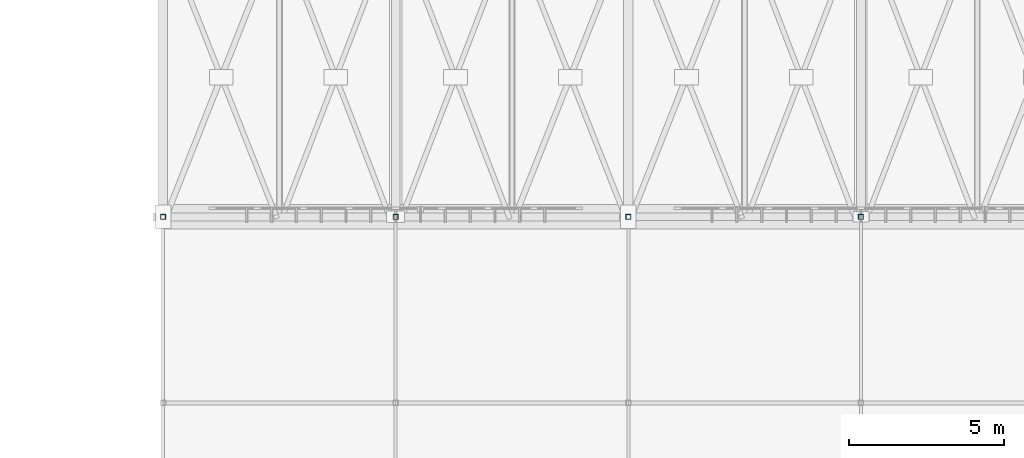
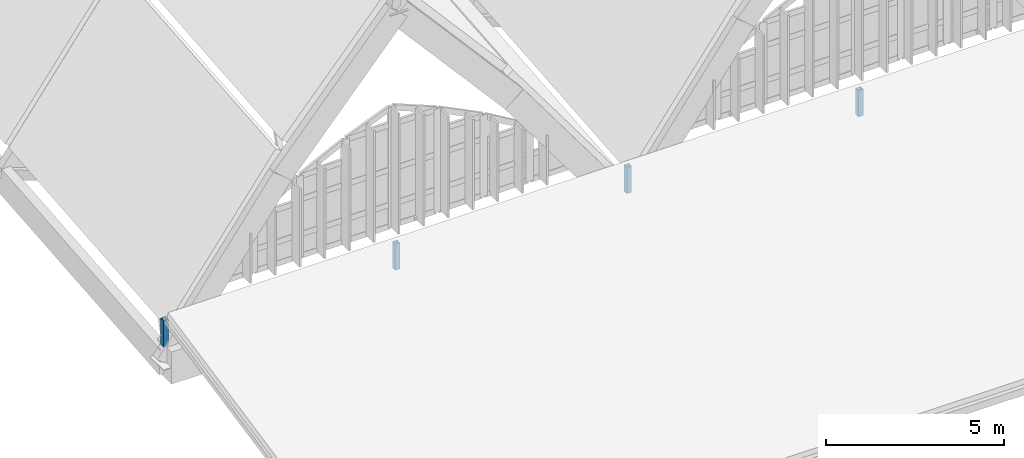
# One storey, part 13 of 93: 4 columns.
"""IFC4 building model written with IfcOpenShell, lengths in metres."""

import ifcopenshell
import ifcopenshell.guid

model = None  # the IFC model being written
_history = None  # IfcOwnerHistory: only IFC2X3 demands one
_inside = {}  # id of a spatial element -> (the spatial element, [elements in it])
_under = {}  # id of a project, library or spatial element -> (it, [spatial elements below it])
_declared = {}  # id of a project -> (the project, [libraries it declares])
_typed = {}  # id of a type object -> (the type object, [elements of that type])
_made_of = {}  # id of a material, layer set ... -> (it, [elements and type objects made of it])


def new_model(schema):
    """Start an empty IFC model of exactly this schema.

    Asked for "IFC4X3", IfcOpenShell would pick the latest addendum, in which some entities
    have other attributes; the version numbers below select the first issue.
    IFC2X3 requires an IfcOwnerHistory on every rooted entity: one is made here for all.
    """
    global model, _history
    if schema == "IFC4X3":
        model = ifcopenshell.file(schema_version=(4, 3, 0, 0))
    else:
        model = ifcopenshell.file(schema=schema)
    _inside.clear()
    _under.clear()
    _declared.clear()
    _typed.clear()
    _made_of.clear()
    _history = None
    if model.schema == "IFC2X3":
        org = make("IfcOrganization", Name="unknown")
        user = make(
            "IfcPersonAndOrganization",
            ThePerson=make("IfcPerson", FamilyName="unknown"),
            TheOrganization=org,
        )
        app = make(
            "IfcApplication",
            ApplicationDeveloper=org,
            Version="unknown",
            ApplicationFullName="unknown",
            ApplicationIdentifier="unknown",
        )
        _history = make(
            "IfcOwnerHistory",
            OwningUser=user,
            OwningApplication=app,
            ChangeAction="ADDED",
            CreationDate=0,
        )
    return model


def make(cls, **values):
    """One entity of the class cls with the attributes given. An attribute that is None is left unset."""
    return model.create_entity(
        cls, **{name: value for name, value in values.items() if value is not None}
    )


def rooted(cls, **values):
    """An entity with a GlobalId (a new one), such as an element, a storey or a relation."""
    return make(cls, GlobalId=ifcopenshell.guid.new(), OwnerHistory=_history, **values)


def si_unit(unit_type, name, prefix=None):
    """IfcSIUnit, for example si_unit("LENGTHUNIT", "METRE", prefix="MILLI")."""
    return make("IfcSIUnit", UnitType=unit_type, Prefix=prefix, Name=name)


def assignment(units):
    """IfcUnitAssignment: the units of a project."""
    return None if units is None else make("IfcUnitAssignment", Units=units)


def point(xyz):
    """IfcCartesianPoint."""
    return None if xyz is None else make("IfcCartesianPoint", Coordinates=xyz)


def direction(xyz):
    """IfcDirection."""
    return None if xyz is None else make("IfcDirection", DirectionRatios=xyz)


def frame(location, z_axis=None, x_axis=None):
    """IfcAxis2Placement3D, a coordinate frame: its origin and axes. An axis left out is left unset."""
    return make(
        "IfcAxis2Placement3D",
        Location=point(location),
        Axis=direction(z_axis),
        RefDirection=direction(x_axis),
    )


def frame_2d(location, x_axis=None):
    """IfcAxis2Placement2D, a coordinate frame in the plane: its origin and x axis."""
    return make(
        "IfcAxis2Placement2D", Location=point(location), RefDirection=direction(x_axis)
    )


def origin():
    """The frame at (0, 0, 0) with its axes left unset."""
    return frame((0.0, 0.0, 0.0))


def origin_2d():
    """The frame at (0, 0) in the plane with its x axis left unset."""
    return frame_2d((0.0, 0.0))


def place(relative_to, where):
    """IfcLocalPlacement: puts the frame where relative to a parent placement (None: the world)."""
    return make(
        "IfcLocalPlacement", PlacementRelTo=relative_to, RelativePlacement=where
    )


def context(
    kind, dimensions, precision=None, world=None, true_north=None, identifier=None
):
    """IfcGeometricRepresentationContext, for example the 3D "Model" context."""
    return make(
        "IfcGeometricRepresentationContext",
        ContextIdentifier=identifier,
        ContextType=kind,
        CoordinateSpaceDimension=dimensions,
        Precision=precision,
        WorldCoordinateSystem=world,
        TrueNorth=true_north,
    )


def subcontext(parent, identifier, kind, view, scale=None):
    """IfcGeometricRepresentationSubContext, for example "Body" below "Model"."""
    return make(
        "IfcGeometricRepresentationSubContext",
        ContextIdentifier=identifier,
        ContextType=kind,
        ParentContext=parent,
        TargetScale=scale,
        TargetView=view,
    )


def project(units=None, contexts=None):
    """IfcProject with its units and contexts."""
    return rooted(
        "IfcProject",
        Name="project",
        RepresentationContexts=contexts,
        UnitsInContext=assignment(units),
    )


def spatial(cls, under=None, at=None, **own):
    """A site, building, storey or space (cls), placed at a placement, below another one or the project."""
    s = rooted(cls, ObjectPlacement=at, **own)
    if under is not None:
        _under.setdefault(under.id(), (under, []))[1].append(s)
    return s


def profile(cls, at=None, kind="AREA", **sizes):
    """A parametric profile (cls). Its sizes go by their IFC names, for example OverallWidth=200.0."""
    return make(cls, ProfileType=kind, Position=at, **sizes)


def hollow_rectangle(**sizes):
    """IfcRectangleHollowProfileDef."""
    return profile("IfcRectangleHollowProfileDef", **sizes)


def extrude(swept, where, along, depth):
    """IfcExtrudedAreaSolid: the profile swept, set in the frame where, extruded along a direction by depth."""
    return make(
        "IfcExtrudedAreaSolid",
        SweptArea=swept,
        Position=where,
        ExtrudedDirection=direction(along),
        Depth=depth,
    )


def shape(context_of_items, identifier, shape_type, items):
    """IfcShapeRepresentation: the items that make up one representation, for example the "Body"."""
    return make(
        "IfcShapeRepresentation",
        ContextOfItems=context_of_items,
        RepresentationIdentifier=identifier,
        RepresentationType=shape_type,
        Items=items,
    )


def material(Name=None, Category=None):
    """IfcMaterial."""
    return make("IfcMaterial", Name=Name, Category=Category)


def material_profile(
    of_material, cross_section, Name=None, Category=None, Priority=None
):
    """IfcMaterialProfile: a cross section and its material."""
    return make(
        "IfcMaterialProfile",
        Name=Name,
        Material=of_material,
        Profile=cross_section,
        Priority=Priority,
        Category=Category,
    )


def profile_set(profiles, Name=None, composite=None):
    """IfcMaterialProfileSet."""
    return make(
        "IfcMaterialProfileSet",
        Name=Name,
        MaterialProfiles=profiles,
        CompositeProfile=composite,
    )


def made_of(thing, what):
    """Note that an element or type object is made of a material, layer set ...; save() writes the relation."""
    if what is not None:
        _made_of.setdefault(what.id(), (what, []))[1].append(thing)
    return thing


def type_object(cls, material=None, **own):
    """A type object (cls), such as IfcWallType, which elements share."""
    return made_of(rooted(cls, **own), material)


def element(
    cls,
    number,
    at=None,
    inside=None,
    cuts=None,
    type_object=None,
    material=None,
    context=None,
    identifier="Body",
    shape_type=None,
    held_by="IfcProductDefinitionShape",
    body=None,
    shapes=None,
    **own,
):
    """One element of the class cls, such as IfcWall. Its Tag is "e" and its number.

    at: its placement. inside: the storey or other place that contains it. cuts: it is an
    opening in that element (IfcRelVoidsElement). A single representation is given by context,
    identifier, shape_type and body (its items); several are given by shapes. held_by: the class
    of the entity that holds the representations. save() writes the other relations.
    """
    e = rooted(cls, Tag="e%d" % number, ObjectPlacement=at, **own)
    if body is not None:
        shapes = [shape(context, identifier, shape_type, body)]
    if shapes is not None:
        e.Representation = make(held_by, Representations=shapes)
    if inside is not None:
        _inside.setdefault(inside.id(), (inside, []))[1].append(e)
    if cuts is not None:
        rooted(
            "IfcRelVoidsElement", RelatingBuildingElement=cuts, RelatedOpeningElement=e
        )
    if type_object is not None:
        _typed.setdefault(type_object.id(), (type_object, []))[1].append(e)
    return made_of(e, material)


def aggregate(whole, parts):
    """IfcRelAggregates: a whole, such as a stair, and the parts it consists of."""
    return rooted("IfcRelAggregates", RelatingObject=whole, RelatedObjects=parts)


def save(model, path):
    """Write the relations noted so far, then the file.

    IfcRelAggregates (storeys below a building ...), IfcRelContainedInSpatialStructure (elements
    in a storey), IfcRelDefinesByType, IfcRelAssociatesMaterial and IfcRelDeclares: one each for
    every whole, place, type object, material and project.
    """
    for whole, parts in _under.values():
        aggregate(whole, parts)
    for where, things in _inside.values():
        rooted(
            "IfcRelContainedInSpatialStructure",
            RelatedElements=things,
            RelatingStructure=where,
        )
    for kind, things in _typed.values():
        rooted("IfcRelDefinesByType", RelatedObjects=things, RelatingType=kind)
    for what, things in _made_of.values():
        rooted("IfcRelAssociatesMaterial", RelatedObjects=things, RelatingMaterial=what)
    for by, libraries in _declared.values():
        rooted("IfcRelDeclares", RelatingContext=by, RelatedDefinitions=libraries)
    model.write(path)


model = new_model("IFC4")

# Units and contexts
model_context = context("Model", 3, precision=1e-05, world=origin(), true_north=direction((0.0, 1.0)))
body_context = subcontext(model_context, "Body", "Model", "MODEL_VIEW")
ifc_project = project(units=[si_unit("LENGTHUNIT", "METRE"), si_unit("AREAUNIT", "SQUARE_METRE"), si_unit("VOLUMEUNIT", "CUBIC_METRE"), si_unit("PLANEANGLEUNIT", "RADIAN"), si_unit("MASSUNIT", "GRAM", prefix="KILO")], contexts=[model_context])

# Site, building, storey
site_placement = place(None, origin())
site = spatial("IfcSite", under=ifc_project, at=site_placement, CompositionType="ELEMENT")
building_placement = place(site_placement, origin())
building = spatial("IfcBuilding", under=site, at=building_placement, Name="Vourika Railside Aquatics Centre", CompositionType="ELEMENT")
storey_placement = place(building_placement, frame((0.0, 0.0, 21.89990234375)))
storey = spatial("IfcBuildingStorey", under=building, at=storey_placement, Name="Roof", CompositionType="ELEMENT", Elevation=21.89990234375)

# Columns
ifc_material = material(Name="Steel S355J2", Category="steel")
ifc_material_profile = material_profile(ifc_material, hollow_rectangle(XDim=0.159912109375, YDim=0.159912109375, WallThickness=0.008056640625, at=origin_2d()), Name="SHS 160x160x8")
ifc_profile_set = profile_set([ifc_material_profile], Name="Steel S355J2")
column_type = type_object("IfcColumnType", Name="COL-STL-SHS160", PredefinedType="COLUMN", material=ifc_profile_set)
for number, where, z_axis, x_axis, name in (
    (1, (36.0, 12.0, -11.14990234375), (0.0, 0.0, 1.0), (1.0, 0.0, 0.0), "Changing Roof Ridge Post (36.0,12.0)"),
    (2, (43.5, 12.0, -11.14990234375), (0.0, 0.0, 1.0), (1.0, 0.0, 0.0), "Changing Roof Ridge Post (43.5,12.0)"),
    (3, (51.0, 12.0, -11.14990234375), (0.0, 0.0, 1.0), (1.0, 0.0, 0.0), "Changing Roof Ridge Post (51.0,12.0)"),
    (4, (58.5, 12.0, -11.14990234375), (0.0, 0.0, 1.0), (1.0, 0.0, 0.0), "Changing Roof Ridge Post (58.5,12.0)"),
):
    element("IfcColumn", number, at=place(storey_placement, frame(where, z_axis=z_axis, x_axis=x_axis)), inside=storey, type_object=column_type, Name=name, PredefinedType="COLUMN", context=body_context, shape_type="SweptSolid", body=[
        extrude(hollow_rectangle(XDim=0.159912109375, YDim=0.159912109375, WallThickness=0.008056640625, at=origin_2d()), origin(), (0.0, 0.0, 1.0), 0.89990234375),
    ])

save(model, "model.ifc")
